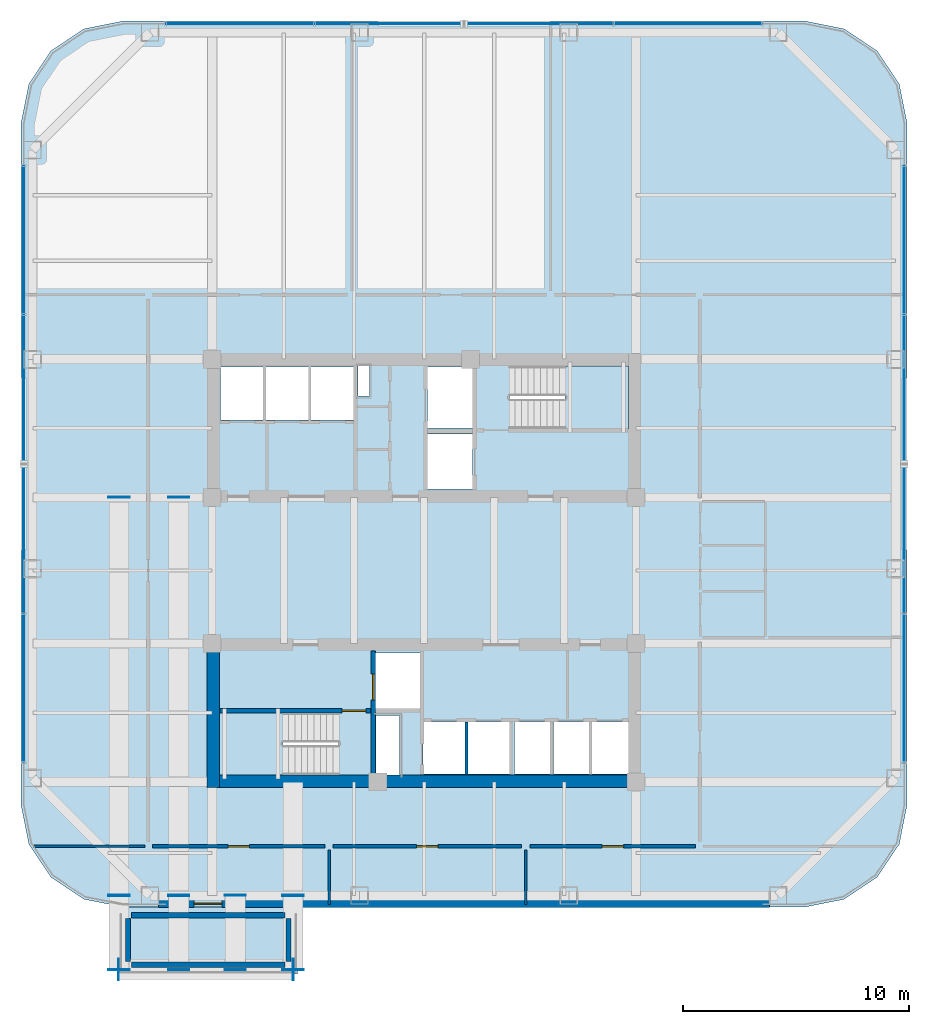
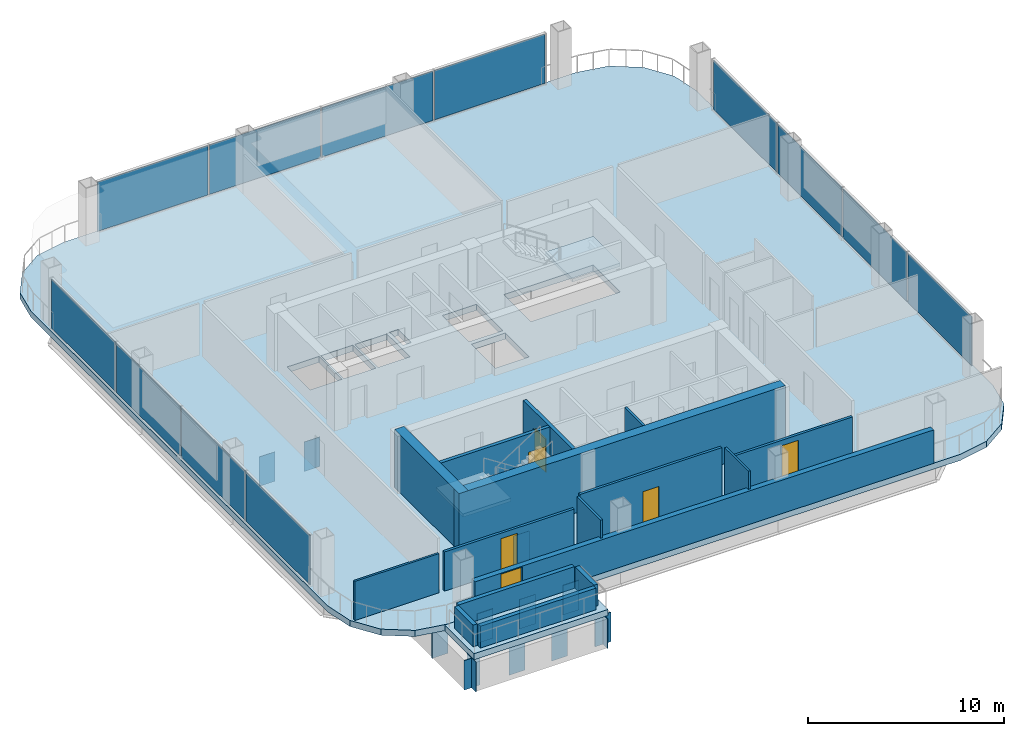
# One storey, part 15 of 20: 28 plates, 16 walls, 6 doors, 4 slabs, 6 openings, 5 elements without a shape of their own.
"""IFC4 building model written with IfcOpenShell, lengths in metres."""

from ifc_helpers import new_model, si_unit, direction, frame, frame_2d, origin, origin_2d, place, context, subcontext, project, spatial, polyline, rectangle, outline, extrude, material, layer, layer_set, type_object, element, fill, aggregate, save


model = new_model("IFC4")

# Units and contexts
model_context = context("Model", 3, precision=1e-05, world=origin(), true_north=direction((0.0, 1.0)))
body_context = subcontext(model_context, "Body", "Model", "MODEL_VIEW")
ifc_project = project(units=[si_unit("LENGTHUNIT", "METRE"), si_unit("AREAUNIT", "SQUARE_METRE"), si_unit("VOLUMEUNIT", "CUBIC_METRE"), si_unit("PLANEANGLEUNIT", "RADIAN"), si_unit("MASSUNIT", "GRAM", prefix="KILO")], contexts=[model_context])

# Site, building, storey
site_placement = place(None, origin())
site = spatial("IfcSite", under=ifc_project, at=site_placement, CompositionType="ELEMENT")
building_placement = place(site_placement, origin())
building = spatial("IfcBuilding", under=site, at=building_placement, Name="Qhalaya Broadcast Tower", CompositionType="ELEMENT")
storey_placement = place(building_placement, frame((0.0, 0.0, 104.85009765625)))
storey = spatial("IfcBuildingStorey", under=building, at=storey_placement, Name="L30", CompositionType="ELEMENT", Elevation=104.85009765625)

# Plates
ifc_material_1 = material(Name="Structural Steel ASTM A572 Grade 50", Category="steel")
ifc_layer_1 = layer(ifc_material_1, 0.4599609375, Name="Structural Steel ASTM A572 Grade 50")
ifc_layer_set_1 = layer_set([ifc_layer_1], Name="Structural Steel ASTM A572 Grade 50")
plate_type_1 = type_object("IfcPlateType", Name="Hollow Box Member End Cap Plate CP-01", PredefinedType="USERDEFINED", material=ifc_layer_set_1)
for number, where, z_axis, x_axis, name in (
    (1, (-13.51611328125, -17.050048828125, -2.2001953125), (0.0, 0.0, 1.0), (0.0, 1.0, 0.0), "L30 Hollow Girder End Cap L30-SPB-EDGE-A"),
    (2, (-5.783935546875, -17.050048828125, -2.2001953125), (0.0, 0.0, 1.0), (0.0, 1.0, 0.0), "L30 Hollow Girder End Cap L30-SPB-EDGE-B"),
    (3, (-13.5, -17.06591796875, -2.2001953125), (0.0, 0.0, 1.0), (-1.0, 0.0, 0.0), "L30 Hollow Girder End Cap L30-SPB-OUT-1-A"),
    (4, (-13.5, -13.77392578125, -2.2001953125), (0.0, 0.0, 1.0), (-1.0, 0.0, 0.0), "L30 Hollow Girder End Cap L30-SPB-OUT-1-B"),
    (5, (-13.5, -13.805908203125, -2.2001953125), (0.0, 0.0, 1.0), (-1.0, 0.0, 0.0), "L30 Hollow Girder End Cap L30-SPB-BK-1-A"),
    (6, (-13.5, 3.841064453125, -2.2001953125), (0.0, 0.0, 1.0), (-1.0, 0.0, 0.0), "L30 Hollow Girder End Cap L30-SPB-BK-1-B"),
    (7, (-10.85009765625, -17.06591796875, -2.2001953125), (0.0, 0.0, 1.0), (-1.0, 0.0, 0.0), "L30 Hollow Girder End Cap L30-SPB-OUT-2-A"),
    (8, (-10.85009765625, -13.77392578125, -2.2001953125), (0.0, 0.0, 1.0), (-1.0, 0.0, 0.0), "L30 Hollow Girder End Cap L30-SPB-OUT-2-B"),
    (9, (-10.85009765625, -13.805908203125, -2.2001953125), (0.0, 0.0, 1.0), (-1.0, 0.0, 0.0), "L30 Hollow Girder End Cap L30-SPB-BK-2-A"),
    (10, (-10.85009765625, 3.841064453125, -2.2001953125), (0.0, 0.0, 1.0), (-1.0, 0.0, 0.0), "L30 Hollow Girder End Cap L30-SPB-BK-2-B"),
    (11, (-8.35009765625, -17.06591796875, -2.2001953125), (0.0, 0.0, 1.0), (-1.0, 0.0, 0.0), "L30 Hollow Girder End Cap L30-SPB-OUT-3-A"),
    (12, (-8.35009765625, -13.77392578125, -2.2001953125), (0.0, 0.0, 1.0), (-1.0, 0.0, 0.0), "L30 Hollow Girder End Cap L30-SPB-OUT-3-B"),
    (13, (-5.800048828125, -17.06591796875, -2.2001953125), (0.0, 0.0, 1.0), (-1.0, 0.0, 0.0), "L30 Hollow Girder End Cap L30-SPB-OUT-4-A"),
    (14, (-5.800048828125, -13.77392578125, -2.2001953125), (0.0, 0.0, 1.0), (-1.0, 0.0, 0.0), "L30 Hollow Girder End Cap L30-SPB-OUT-4-B"),
    (15, (-5.800048828125, -13.805908203125, -2.2001953125), (0.0, 0.0, 1.0), (-1.0, 0.0, 0.0), "L30 Hollow Girder End Cap L30-SPB-BK-4-A"),
    (16, (-5.800048828125, -8.73388671875, -2.2001953125), (0.0, 0.0, 1.0), (-1.0, 0.0, 0.0), "L30 Hollow Girder End Cap L30-SPB-BK-4-B"),
):
    element("IfcPlate", number, at=place(storey_placement, frame(where, z_axis=z_axis, x_axis=x_axis)), inside=storey, type_object=plate_type_1, Name=name, ObjectType="COVER_PLATE", PredefinedType="USERDEFINED", context=body_context, shape_type="SweptSolid", body=[
        extrude(rectangle(XDim=0.93994140625, YDim=0.031982421875, at=origin_2d()), origin(), (0.0, 0.0, 1.0), 1.840087890625),
    ])

# Slab
ifc_material_2 = material(Name="Concrete C40/50", Category="concrete")
ifc_layer_2 = layer(ifc_material_2, 0.25, Name="Concrete C40/50")
ifc_layer_set_2 = layer_set([ifc_layer_2], Name="Concrete C40/50")
slab_type_1 = type_object("IfcSlabType", Name="Planted Sky-Garden & Sky-Pool External Terrace Slab 250", PredefinedType="FLOOR", material=ifc_layer_set_2)
slab_1_placement = place(storey_placement, frame((0.0, 0.0, -0.380126953125)))
element("IfcSlab", 17, at=slab_1_placement, inside=storey, type_object=slab_type_1, Name="L30 Cantilevered Sky Pool Basin & Terrace Slab", PredefinedType="FLOOR", context=body_context, shape_type="SweptSolid", body=[
    extrude(outline(polyline([(-13.5, -17.25), (-5.60009765625, -17.25), (-5.60009765625, -14.2900390625), (-13.5, -14.2900390625), (-13.5, -17.25)])), origin(), (0.0, 0.0, 1.0), 0.380126953125),
])

# Curtain wall, plates
ifc_material_3 = material(Name="Solar-Control Low-E Triple Glazing", Category="glass")
ifc_layer_3 = layer(ifc_material_3, 0.219970703125, Name="Solar-Control Low-E Triple Glazing")
ifc_layer_set_3 = layer_set([ifc_layer_3], Name="Solar-Control Low-E Triple Glazing")
curtain_wall_type = type_object("IfcCurtainWallType", Name="Recessed Sky-Garden Neck Ribbon Curtain Wall CW-05", PredefinedType="NOTDEFINED", material=ifc_layer_set_3)
curtain_wall_1_placement = place(storey_placement, origin())
curtain_wall_1 = element("IfcCurtainWall", 18, at=curtain_wall_1_placement, inside=storey, type_object=curtain_wall_type, Name="L30 Unitised Curtain Wall L30-CW-E", PredefinedType="NOTDEFINED")
ifc_layer_4 = layer(ifc_material_3, 0.031982421875, Name="Solar-Control Low-E Triple Glazing")
ifc_layer_set_4 = layer_set([ifc_layer_4], Name="Solar-Control Low-E Triple Glazing")
plate_type_2 = type_object("IfcPlateType", Name="Solar-Control Curtain Glazing Panel GLP-05", PredefinedType="CURTAIN_PANEL", material=ifc_layer_set_4)
plate_1_placement = place(storey_placement, frame((21.25, -4.608642578125, 0.07470703125), z_axis=(0.0, 0.0, 1.0), x_axis=(0.0, 1.0, 0.0)))
plate_1 = element("IfcPlate", 19, at=plate_1_placement, type_object=plate_type_2, Name="CW-05 panel 1.1", PredefinedType="CURTAIN_PANEL", context=body_context, shape_type="SweptSolid", body=[
    extrude(rectangle(XDim=6.512451171875, YDim=0.031982421875, at=origin_2d()), origin(), (0.0, 0.0, 1.0), 3.070068359375),
])
plate_2_placement = place(storey_placement, frame((21.25, 1.99755859375, 0.07470703125), z_axis=(0.0, 0.0, 1.0), x_axis=(0.0, 1.0, 0.0)))
plate_2 = element("IfcPlate", 20, at=plate_2_placement, type_object=plate_type_2, Name="CW-05 panel 2.1", PredefinedType="CURTAIN_PANEL", context=body_context, shape_type="SweptSolid", body=[
    extrude(rectangle(XDim=6.550048828125, YDim=0.031982421875, at=origin_2d()), origin(), (0.0, 0.0, 1.0), 3.070068359375),
])
plate_3_placement = place(storey_placement, frame((21.25, 8.62255859375, 0.07470703125), z_axis=(0.0, 0.0, 1.0), x_axis=(0.0, 1.0, 0.0)))
plate_3 = element("IfcPlate", 21, at=plate_3_placement, type_object=plate_type_2, Name="CW-05 panel 3.1", PredefinedType="CURTAIN_PANEL", context=body_context, shape_type="SweptSolid", body=[
    extrude(rectangle(XDim=6.550048828125, YDim=0.031982421875, at=origin_2d()), origin(), (0.0, 0.0, 1.0), 3.070068359375),
])
plate_4_placement = place(storey_placement, frame((21.25, 15.228759765625, 0.07470703125), z_axis=(0.0, 0.0, 1.0), x_axis=(0.0, 1.0, 0.0)))
plate_4 = element("IfcPlate", 22, at=plate_4_placement, type_object=plate_type_2, Name="CW-05 panel 4.1", PredefinedType="CURTAIN_PANEL", context=body_context, shape_type="SweptSolid", body=[
    extrude(rectangle(XDim=6.512451171875, YDim=0.031982421875, at=origin_2d()), origin(), (0.0, 0.0, 1.0), 3.070068359375),
])
aggregate(curtain_wall_1, [plate_1, plate_2, plate_3, plate_4])

curtain_wall_2_placement = place(storey_placement, origin())
curtain_wall_2 = element("IfcCurtainWall", 23, at=curtain_wall_2_placement, inside=storey, type_object=curtain_wall_type, Name="L30 Unitised Curtain Wall L30-CW-N", PredefinedType="NOTDEFINED")
plate_5_placement = place(storey_placement, frame((11.688720703125, 24.7900390625, 0.07470703125), z_axis=(0.0, 0.0, 1.0), x_axis=(-1.0, 0.0, 0.0)))
plate_5 = element("IfcPlate", 24, at=plate_5_placement, type_object=plate_type_2, Name="CW-05 panel 1.1", PredefinedType="CURTAIN_PANEL", context=body_context, shape_type="SweptSolid", body=[
    extrude(rectangle(XDim=6.512451171875, YDim=0.031982421875, at=origin_2d()), origin(), (0.0, 0.0, 1.0), 3.070068359375),
])
plate_6_placement = place(storey_placement, frame((5.08251953125, 24.7900390625, 0.07470703125), z_axis=(0.0, 0.0, 1.0), x_axis=(-1.0, 0.0, 0.0)))
plate_6 = element("IfcPlate", 25, at=plate_6_placement, type_object=plate_type_2, Name="CW-05 panel 2.1", PredefinedType="CURTAIN_PANEL", context=body_context, shape_type="SweptSolid", body=[
    extrude(rectangle(XDim=6.550048828125, YDim=0.031982421875, at=origin_2d()), origin(), (0.0, 0.0, 1.0), 3.070068359375),
])
plate_7_placement = place(storey_placement, frame((-1.54248046875, 24.7900390625, 0.07470703125), z_axis=(0.0, 0.0, 1.0), x_axis=(-1.0, 0.0, 0.0)))
plate_7 = element("IfcPlate", 26, at=plate_7_placement, type_object=plate_type_2, Name="CW-05 panel 3.1", PredefinedType="CURTAIN_PANEL", context=body_context, shape_type="SweptSolid", body=[
    extrude(rectangle(XDim=6.550048828125, YDim=0.031982421875, at=origin_2d()), origin(), (0.0, 0.0, 1.0), 3.070068359375),
])
plate_8_placement = place(storey_placement, frame((-8.148681640625, 24.7900390625, 0.07470703125), z_axis=(0.0, 0.0, 1.0), x_axis=(-1.0, 0.0, 0.0)))
plate_8 = element("IfcPlate", 27, at=plate_8_placement, type_object=plate_type_2, Name="CW-05 panel 4.1", PredefinedType="CURTAIN_PANEL", context=body_context, shape_type="SweptSolid", body=[
    extrude(rectangle(XDim=6.512451171875, YDim=0.031982421875, at=origin_2d()), origin(), (0.0, 0.0, 1.0), 3.070068359375),
])
aggregate(curtain_wall_2, [plate_5, plate_6, plate_7, plate_8])

curtain_wall_3_placement = place(storey_placement, origin())
curtain_wall_3 = element("IfcCurtainWall", 28, at=curtain_wall_3_placement, inside=storey, type_object=curtain_wall_type, Name="L30 Unitised Curtain Wall L30-CW-W", PredefinedType="NOTDEFINED")
plate_9_placement = place(storey_placement, frame((-17.7099609375, 15.228759765625, 0.07470703125), z_axis=(0.0, 0.0, 1.0), x_axis=(0.0, -1.0, 0.0)))
plate_9 = element("IfcPlate", 29, at=plate_9_placement, type_object=plate_type_2, Name="CW-05 panel 1.1", PredefinedType="CURTAIN_PANEL", context=body_context, shape_type="SweptSolid", body=[
    extrude(rectangle(XDim=6.512451171875, YDim=0.031982421875, at=origin_2d()), origin(), (0.0, 0.0, 1.0), 3.070068359375),
])
plate_10_placement = place(storey_placement, frame((-17.7099609375, 8.62255859375, 0.07470703125), z_axis=(0.0, 0.0, 1.0), x_axis=(0.0, -1.0, 0.0)))
plate_10 = element("IfcPlate", 30, at=plate_10_placement, type_object=plate_type_2, Name="CW-05 panel 2.1", PredefinedType="CURTAIN_PANEL", context=body_context, shape_type="SweptSolid", body=[
    extrude(rectangle(XDim=6.550048828125, YDim=0.031982421875, at=origin_2d()), origin(), (0.0, 0.0, 1.0), 3.070068359375),
])
plate_11_placement = place(storey_placement, frame((-17.7099609375, 1.99755859375, 0.07470703125), z_axis=(0.0, 0.0, 1.0), x_axis=(0.0, -1.0, 0.0)))
plate_11 = element("IfcPlate", 31, at=plate_11_placement, type_object=plate_type_2, Name="CW-05 panel 3.1", PredefinedType="CURTAIN_PANEL", context=body_context, shape_type="SweptSolid", body=[
    extrude(rectangle(XDim=6.550048828125, YDim=0.031982421875, at=origin_2d()), origin(), (0.0, 0.0, 1.0), 3.070068359375),
])
plate_12_placement = place(storey_placement, frame((-17.7099609375, -4.608642578125, 0.07470703125), z_axis=(0.0, 0.0, 1.0), x_axis=(0.0, -1.0, 0.0)))
plate_12 = element("IfcPlate", 32, at=plate_12_placement, type_object=plate_type_2, Name="CW-05 panel 4.1", PredefinedType="CURTAIN_PANEL", context=body_context, shape_type="SweptSolid", body=[
    extrude(rectangle(XDim=6.512451171875, YDim=0.031982421875, at=origin_2d()), origin(), (0.0, 0.0, 1.0), 3.070068359375),
])
aggregate(curtain_wall_3, [plate_9, plate_10, plate_11, plate_12])

# Stair, slab
stair_type = type_object("IfcStairType", Name="Protected Dogleg Core Stair 3600", PredefinedType="TWO_STRAIGHT_RUN_STAIR", material=ifc_material_2)
stair_1_placement = place(storey_placement, origin())
stair_1 = element("IfcStair", 33, at=stair_1_placement, inside=storey, type_object=stair_type, Name="L30 North Core Exit Stair ST-1", PredefinedType="TWO_STRAIGHT_RUN_STAIR")
ifc_layer_5 = layer(ifc_material_2, 0.199951171875, Name="Concrete C40/50")
ifc_layer_set_5 = layer_set([ifc_layer_5], Name="Concrete C40/50")
slab_type_2 = type_object("IfcSlabType", Name="Stair & Ramp Half-Landing Slab 200", PredefinedType="LANDING", material=ifc_layer_set_5)
slab_2_placement = place(storey_placement, frame((0.0, 0.0, 1.599853515625)))
slab_2 = element("IfcSlab", 34, at=slab_2_placement, type_object=slab_type_2, Name="ST-1 landing 1", PredefinedType="LANDING", context=body_context, shape_type="SweptSolid", body=[
    extrude(outline(polyline([(6.235107421875, 6.8798828125), (9.050048828125, 6.8798828125), (9.050048828125, 9.639892578125), (6.235107421875, 9.639892578125), (6.235107421875, 6.8798828125)])), origin(), (0.0, 0.0, 1.0), 0.199951171875),
])
aggregate(stair_1, [slab_2])

stair_2_placement = place(storey_placement, origin())
stair_2 = element("IfcStair", 35, at=stair_2_placement, inside=storey, type_object=stair_type, Name="L30 South Core Exit Stair ST-2", PredefinedType="TWO_STRAIGHT_RUN_STAIR")
slab_3_placement = place(storey_placement, frame((0.0, 0.0, 1.599853515625)))
slab_3 = element("IfcSlab", 36, at=slab_3_placement, type_object=slab_type_2, Name="ST-2 landing 1", PredefinedType="LANDING", context=body_context, shape_type="SweptSolid", body=[
    extrude(outline(polyline([(-6.235107421875, -5.679931640625), (-9.050048828125, -5.679931640625), (-9.050048828125, -8.43994140625), (-6.235107421875, -8.43994140625), (-6.235107421875, -5.679931640625)])), origin(), (0.0, 0.0, 1.0), 0.199951171875),
])
aggregate(stair_2, [slab_3])

# Slab
ifc_layer_6 = layer(ifc_material_2, 0.3798828125, Name="Concrete C40/50")
ifc_layer_set_6 = layer_set([ifc_layer_6], Name="Concrete C40/50")
slab_type_3 = type_object("IfcSlabType", Name="Transfer & Sky-Pool Structural Deck Slab 380", PredefinedType="FLOOR", material=ifc_layer_set_6)
slab_4_placement = place(storey_placement, frame((0.0, 0.0, -0.380126953125)))
element("IfcSlab", 37, at=slab_4_placement, inside=storey, type_object=slab_type_3, Name="L30 Main Structural Floor Slab", PredefinedType="FLOOR", context=body_context, shape_type="SweptSolid", body=[
    extrude(outline(polyline([(16.8701171875, -14.2900390625), (18.592041015625, -13.947509765625), (20.052001953125, -12.971923828125), (21.027587890625, -11.51220703125), (21.3701171875, -9.7900390625), (21.3701171875, 20.409912109375), (21.027587890625, 22.132080078125), (20.052001953125, 23.592041015625), (18.592041015625, 24.5673828125), (16.8701171875, 24.909912109375), (-13.330078125, 24.909912109375), (-15.052001953125, 24.5673828125), (-16.511962890625, 23.592041015625), (-17.487548828125, 22.132080078125), (-17.830078125, 20.409912109375), (-17.830078125, -9.7900390625), (-17.487548828125, -11.51220703125), (-16.511962890625, -12.971923828125), (-15.052001953125, -13.947509765625), (-13.330078125, -14.2900390625), (16.8701171875, -14.2900390625)]), holes=[polyline([(3.784912109375, 9.639892578125), (9.050048828125, 9.639892578125), (9.050048828125, 6.8798828125), (3.784912109375, 6.8798828125), (3.784912109375, 9.639892578125)]), polyline([(-3.784912109375, -8.43994140625), (-9.050048828125, -8.43994140625), (-9.050048828125, -5.679931640625), (-3.784912109375, -5.679931640625), (-3.784912109375, -8.43994140625)]), polyline([(0.14990234375, 6.64990234375), (2.14990234375, 6.64990234375), (2.14990234375, 4.199951171875), (0.14990234375, 4.199951171875), (0.14990234375, 6.64990234375)]), polyline([(0.14990234375, 9.60009765625), (2.14990234375, 9.60009765625), (2.14990234375, 6.89990234375), (0.14990234375, 6.89990234375), (0.14990234375, 9.60009765625)]), polyline([(-2.14990234375, -3.050048828125), (-0.14990234375, -3.050048828125), (-0.14990234375, -5.5), (-2.14990234375, -5.5), (-2.14990234375, -3.050048828125)]), polyline([(-9.0, 9.60009765625), (-7.1201171875, 9.60009765625), (-7.1201171875, 7.25), (-9.0, 7.25), (-9.0, 9.60009765625)]), polyline([(-7.0, 9.60009765625), (-5.1201171875, 9.60009765625), (-5.1201171875, 7.25), (-7.0, 7.25), (-7.0, 9.60009765625)]), polyline([(-5.0, 9.60009765625), (-3.1201171875, 9.60009765625), (-3.1201171875, 7.25), (-5.0, 7.25), (-5.0, 9.60009765625)]), polyline([(-0.050048828125, -6.10009765625), (1.830078125, -6.10009765625), (1.830078125, -8.39990234375), (-0.050048828125, -8.39990234375), (-0.050048828125, -6.10009765625)]), polyline([(1.949951171875, -6.10009765625), (3.830078125, -6.10009765625), (3.830078125, -8.39990234375), (1.949951171875, -8.39990234375), (1.949951171875, -6.10009765625)]), polyline([(4.0, -6.10009765625), (5.60009765625, -6.10009765625), (5.60009765625, -8.39990234375), (4.0, -8.39990234375), (4.0, -6.10009765625)]), polyline([(5.719970703125, -6.10009765625), (7.320068359375, -6.10009765625), (7.320068359375, -8.39990234375), (5.719970703125, -8.39990234375), (5.719970703125, -6.10009765625)]), polyline([(7.43994140625, -6.10009765625), (9.0400390625, -6.10009765625), (9.0400390625, -8.39990234375), (7.43994140625, -8.39990234375), (7.43994140625, -6.10009765625)]), polyline([(-2.919921875, 9.659912109375), (-2.419921875, 9.659912109375), (-2.419921875, 8.320068359375), (-2.919921875, 8.320068359375), (-2.919921875, 9.659912109375)]), polyline([(-2.1201171875, -5.820068359375), (-1.080078125, -5.820068359375), (-1.080078125, -8.4599609375), (-2.1201171875, -8.4599609375), (-2.1201171875, -5.820068359375)])]), origin(), (0.0, 0.0, 1.0), 0.380126953125),
])

# Wall, opening, door
ifc_material_4 = material(Name="Gypsum Acoustic Partition")
ifc_layer_7 = layer(ifc_material_4, 0.14990234375, Name="Gypsum Acoustic Partition")
ifc_layer_set_7 = layer_set([ifc_layer_7], Name="Gypsum Acoustic Partition")
wall_type_1 = type_object("IfcWallType", Name="Corridor & Tenancy Acoustic Partition 150", PredefinedType="PARTITIONING", material=ifc_layer_set_7)
wall_1_placement = place(storey_placement, frame((-12.02001953125, -11.60009765625, 0.0), z_axis=(0.0, 0.0, 1.0), x_axis=(1.0, 0.0, 0.0)))
wall_1 = element("IfcWall", 38, at=wall_1_placement, inside=storey, type_object=wall_type_1, Name="L30 Partition Wall W-COR-04", PredefinedType="PARTITIONING", context=body_context, shape_type="SweptSolid", body=[
    extrude(rectangle(XDim=7.64013671875, YDim=0.14990234375, at=frame_2d((3.820068359375, 0.0))), origin(), (0.0, 0.0, 1.0), 2.43798828125),
])
opening_1_placement = place(wall_1_placement, frame((3.344970703125, 0.0, 0.0)))
opening_1 = element("IfcOpeningElement", 39, at=opening_1_placement, cuts=wall_1, Name="Opening D10", PredefinedType="OPENING", context=body_context, shape_type="SweptSolid", body=[
    extrude(rectangle(XDim=0.949951171875, YDim=2.10009765625, at=frame_2d((0.47509765625, 1.050048828125))), frame((0.0, 0.0869140625, 0.0), z_axis=(0.0, -1.0, 0.0), x_axis=(1.0, 0.0, 0.0)), (0.0, 0.0, 1.0), 0.173828125),
])
ifc_material_5 = material(Name="Timber Veneer Acoustic Door", Category="wood")
door_type_1 = type_object("IfcDoorType", Name="Cellular Office & Edit Booth Door D10", OperationType="NOTDEFINED", PredefinedType="DOOR", material=ifc_material_5)
door_1_placement = place(opening_1_placement, origin())
door_1 = element("IfcDoor", 40, at=door_1_placement, inside=storey, type_object=door_type_1, Name="L30 Door D-RM04", OperationType="SINGLE_SWING_LEFT", OverallHeight=2.10009765625, OverallWidth=0.949951171875, PredefinedType="DOOR", context=body_context, shape_type="SweptSolid", body=[
    extrude(rectangle(XDim=0.949951171875, YDim=2.10009765625, at=frame_2d((0.47509765625, 1.050048828125))), frame((0.0, 0.02490234375, 0.0), z_axis=(0.0, -1.0, 0.0), x_axis=(1.0, 0.0, 0.0)), (0.0, 0.0, 1.0), 0.050048828125),
])
fill(opening_1, door_1)

wall_2_placement = place(storey_placement, frame((-4.02001953125, -11.60009765625, 0.0), z_axis=(0.0, 0.0, 1.0), x_axis=(1.0, 0.0, 0.0)))
wall_2 = element("IfcWall", 41, at=wall_2_placement, inside=storey, type_object=wall_type_1, Name="L30 Partition Wall W-COR-05", PredefinedType="PARTITIONING", context=body_context, shape_type="SweptSolid", body=[
    extrude(rectangle(XDim=8.340087890625, YDim=0.14990234375, at=frame_2d((4.169921875, 0.0))), origin(), (0.0, 0.0, 1.0), 3.219970703125),
])
opening_2_placement = place(wall_2_placement, frame((3.695068359375, 0.0, 0.0)))
opening_2 = element("IfcOpeningElement", 42, at=opening_2_placement, cuts=wall_2, Name="Opening D10", PredefinedType="OPENING", context=body_context, shape_type="SweptSolid", body=[
    extrude(rectangle(XDim=0.949951171875, YDim=2.10009765625, at=frame_2d((0.47509765625, 1.050048828125))), frame((0.0, 0.0869140625, 0.0), z_axis=(0.0, -1.0, 0.0), x_axis=(1.0, 0.0, 0.0)), (0.0, 0.0, 1.0), 0.173828125),
])
door_2_placement = place(opening_2_placement, origin())
door_2 = element("IfcDoor", 43, at=door_2_placement, inside=storey, type_object=door_type_1, Name="L30 Door D-RM05", OperationType="SINGLE_SWING_RIGHT", OverallHeight=2.10009765625, OverallWidth=0.949951171875, PredefinedType="DOOR", context=body_context, shape_type="SweptSolid", body=[
    extrude(rectangle(XDim=0.949951171875, YDim=2.10009765625, at=frame_2d((0.47509765625, 1.050048828125))), frame((0.0, 0.02490234375, 0.0), z_axis=(0.0, -1.0, 0.0), x_axis=(1.0, 0.0, 0.0)), (0.0, 0.0, 1.0), 0.050048828125),
])
fill(opening_2, door_2)

wall_3_placement = place(storey_placement, frame((4.679931640625, -11.60009765625, 0.0), z_axis=(0.0, 0.0, 1.0), x_axis=(1.0, 0.0, 0.0)))
wall_3 = element("IfcWall", 44, at=wall_3_placement, inside=storey, type_object=wall_type_1, Name="L30 Partition Wall W-COR-06", PredefinedType="PARTITIONING", context=body_context, shape_type="SweptSolid", body=[
    extrude(rectangle(XDim=7.340087890625, YDim=0.14990234375, at=frame_2d((3.669921875, 0.0))), origin(), (0.0, 0.0, 1.0), 2.43798828125),
])
opening_3_placement = place(wall_3_placement, frame((3.195068359375, 0.0, 0.0)))
opening_3 = element("IfcOpeningElement", 45, at=opening_3_placement, cuts=wall_3, Name="Opening D10", PredefinedType="OPENING", context=body_context, shape_type="SweptSolid", body=[
    extrude(rectangle(XDim=0.949951171875, YDim=2.10009765625, at=frame_2d((0.47509765625, 1.050048828125))), frame((0.0, 0.0869140625, 0.0), z_axis=(0.0, -1.0, 0.0), x_axis=(1.0, 0.0, 0.0)), (0.0, 0.0, 1.0), 0.173828125),
])
door_3_placement = place(opening_3_placement, origin())
door_3 = element("IfcDoor", 46, at=door_3_placement, inside=storey, type_object=door_type_1, Name="L30 Door D-RM06", OperationType="SINGLE_SWING_LEFT", OverallHeight=2.10009765625, OverallWidth=0.949951171875, PredefinedType="DOOR", context=body_context, shape_type="SweptSolid", body=[
    extrude(rectangle(XDim=0.949951171875, YDim=2.10009765625, at=frame_2d((0.47509765625, 1.050048828125))), frame((0.0, 0.02490234375, 0.0), z_axis=(0.0, -1.0, 0.0), x_axis=(1.0, 0.0, 0.0)), (0.0, 0.0, 1.0), 0.050048828125),
])
fill(opening_3, door_3)

ifc_material_6 = material(Name="Concrete C50/60", Category="concrete")
ifc_layer_8 = layer(ifc_material_6, 0.199951171875, Name="Concrete C50/60")
ifc_layer_set_8 = layer_set([ifc_layer_8], Name="Concrete C50/60")
wall_type_2 = type_object("IfcWallType", Name="Load-Bearing Stair Shaft Wall 200", PredefinedType="SHEAR", material=ifc_layer_set_8)
wall_4_placement = place(storey_placement, frame((-9.030029296875, -5.60498046875, 0.0), z_axis=(0.0, 0.0, 1.0), x_axis=(1.0, 0.0, 0.0)))
wall_4 = element("IfcWall", 47, at=wall_4_placement, inside=storey, type_object=wall_type_2, Name="L30 Stair Core Shear Wall SCW-ST2", PredefinedType="SHEAR", context=body_context, shape_type="SweptSolid", body=[
    extrude(rectangle(XDim=6.669921875, YDim=0.199951171875, at=frame_2d((3.3349609375, 0.0))), origin(), (0.0, 0.0, 1.0), 3.219970703125),
])
opening_4_placement = place(wall_4_placement, frame((5.39990234375, 0.0, 0.0)))
opening_4 = element("IfcOpeningElement", 48, at=opening_4_placement, cuts=wall_4, Name="Opening D03", PredefinedType="OPENING", context=body_context, shape_type="SweptSolid", body=[
    extrude(rectangle(XDim=1.050048828125, YDim=2.080078125, at=frame_2d((0.52490234375, 1.0400390625))), frame((0.0, 0.112060546875, 0.0), z_axis=(0.0, -1.0, 0.0), x_axis=(1.0, 0.0, 0.0)), (0.0, 0.0, 1.0), 0.223876953125),
])
ifc_material_7 = material(Name="Fire-Rated Steel Door", Category="steel")
door_type_2 = type_object("IfcDoorType", Name="Core Stair Protected Fire Door D03", OperationType="NOTDEFINED", PredefinedType="DOOR", material=ifc_material_7)
door_4_placement = place(opening_4_placement, origin())
door_4 = element("IfcDoor", 49, at=door_4_placement, inside=storey, type_object=door_type_2, Name="L30 Door D-SST2", OperationType="SINGLE_SWING_RIGHT", OverallHeight=2.080078125, OverallWidth=1.050048828125, PredefinedType="DOOR", context=body_context, shape_type="SweptSolid", body=[
    extrude(rectangle(XDim=1.050048828125, YDim=2.080078125, at=frame_2d((0.52490234375, 1.0400390625))), frame((0.0, 0.02490234375, 0.0), z_axis=(0.0, -1.0, 0.0), x_axis=(1.0, 0.0, 0.0)), (0.0, 0.0, 1.0), 0.050048828125),
])
fill(opening_4, door_4)

wall_5_placement = place(storey_placement, frame((-2.25, -8.429931640625, 0.0), z_axis=(0.0, 0.0, 1.0), x_axis=(0.0, 1.0, 0.0)))
wall_5 = element("IfcWall", 50, at=wall_5_placement, inside=storey, type_object=wall_type_2, Name="L30 Stair Core Shear Wall SCW-FF", PredefinedType="SHEAR", context=body_context, shape_type="SweptSolid", body=[
    extrude(rectangle(XDim=5.4599609375, YDim=0.199951171875, at=frame_2d((2.72998046875, 0.0))), origin(), (0.0, 0.0, 1.0), 3.219970703125),
])
opening_5_placement = place(wall_5_placement, frame((3.300048828125, 0.0, 0.0)))
opening_5 = element("IfcOpeningElement", 51, at=opening_5_placement, cuts=wall_5, Name="Opening LD2", PredefinedType="OPENING", context=body_context, shape_type="SweptSolid", body=[
    extrude(rectangle(XDim=1.14990234375, YDim=2.080078125, at=frame_2d((0.574951171875, 1.0400390625))), frame((0.0, 0.112060546875, 0.0), z_axis=(0.0, -1.0, 0.0), x_axis=(1.0, 0.0, 0.0)), (0.0, 0.0, 1.0), 0.223876953125),
])
ifc_material_8 = material(Name="Brushed Stainless Steel Lift Door", Category="steel")
door_type_3 = type_object("IfcDoorType", Name="Firefighting Lift Sliding Landing Door LD2", OperationType="DOUBLE_DOOR_SLIDING", PredefinedType="DOOR", material=ifc_material_8)
door_5_placement = place(opening_5_placement, origin())
door_5 = element("IfcDoor", 52, at=door_5_placement, inside=storey, type_object=door_type_3, Name="L30 Door LD-FF2", OperationType="DOUBLE_DOOR_SLIDING", OverallHeight=2.080078125, OverallWidth=1.14990234375, PredefinedType="DOOR", context=body_context, shape_type="SweptSolid", body=[
    extrude(rectangle(XDim=1.14990234375, YDim=2.080078125, at=frame_2d((0.574951171875, 1.0400390625))), frame((0.0, 0.02490234375, 0.0), z_axis=(0.0, -1.0, 0.0), x_axis=(1.0, 0.0, 0.0)), (0.0, 0.0, 1.0), 0.050048828125),
])
fill(opening_5, door_5)

# Walls
ifc_material_9 = material(Name="Concrete C60/75", Category="concrete")
ifc_layer_9 = layer(ifc_material_9, 0.550048828125, Name="Concrete C60/75")
ifc_layer_set_9 = layer_set([ifc_layer_9], Name="Concrete C60/75")
wall_type_3 = type_object("IfcWallType", Name="Lower Split-Core Shear Wall 550", PredefinedType="SHEAR", material=ifc_layer_set_9)
wall_6_placement = place(storey_placement, frame((-9.60009765625, -8.72509765625, 0.0), z_axis=(0.0, 0.0, 1.0), x_axis=(1.0, 0.0, 0.0)))
element("IfcWall", 53, at=wall_6_placement, inside=storey, type_object=wall_type_3, Name="L30 Split-Core Shear Wall CW-SS", PredefinedType="SHEAR", context=body_context, shape_type="SweptSolid", body=[
    extrude(rectangle(XDim=19.2001953125, YDim=0.550048828125, at=frame_2d((9.60009765625, 0.0))), origin(), (0.0, 0.0, 1.0), 3.599853515625),
])
wall_7_placement = place(storey_placement, frame((-9.324951171875, -9.0, 0.0), z_axis=(0.0, 0.0, 1.0), x_axis=(0.0, 1.0, 0.0)))
element("IfcWall", 54, at=wall_7_placement, inside=storey, type_object=wall_type_3, Name="L30 Split-Core Shear Wall CW-SW", PredefinedType="SHEAR", context=body_context, shape_type="SweptSolid", body=[
    extrude(rectangle(XDim=6.60009765625, YDim=0.550048828125, at=frame_2d((3.300048828125, 0.0))), origin(), (0.0, 0.0, 1.0), 3.599853515625),
])
ifc_layer_10 = layer(ifc_material_4, 0.1201171875, Name="Gypsum Acoustic Partition")
ifc_layer_set_10 = layer_set([ifc_layer_10], Name="Gypsum Acoustic Partition")
wall_type_4 = type_object("IfcWallType", Name="Office, Booth & Sanitary Partition 120", PredefinedType="PARTITIONING", material=ifc_layer_set_10)
wall_8_placement = place(storey_placement, frame((1.8798828125, -8.429931640625, 0.0), z_axis=(0.0, 0.0, 1.0), x_axis=(0.0, 1.0, 0.0)))
element("IfcWall", 55, at=wall_8_placement, inside=storey, type_object=wall_type_4, Name="L30 Partition Wall SCW-MD4", PredefinedType="PARTITIONING", context=body_context, shape_type="SweptSolid", body=[
    extrude(rectangle(XDim=2.329833984375, YDim=0.1201171875, at=frame_2d((1.1650390625, 0.0))), origin(), (0.0, 0.0, 1.0), 3.219970703125),
])
wall_9_placement = place(storey_placement, frame((-17.284423828125, -11.60009765625, 0.0), z_axis=(0.0, 0.0, 1.0), x_axis=(1.0, 0.0, 0.0)))
element("IfcWall", 56, at=wall_9_placement, inside=storey, type_object=wall_type_4, Name="L30 Partition Wall W-BNDW2", PredefinedType="PARTITIONING", context=body_context, shape_type="SweptSolid", body=[
    extrude(rectangle(XDim=4.9443359375, YDim=0.1201171875, at=frame_2d((2.47216796875, 0.0))), origin(), (0.0, 0.0, 1.0), 2.43798828125),
])
for number, where, z_axis, x_axis, name in (
    (57, (-4.199951171875, -14.169921875, 0.0), (0.0, 0.0, 1.0), (0.0, 1.0, 0.0), "L30 Partition Wall W-DIVS1"),
    (58, (4.5, -14.169921875, 0.0), (0.0, 0.0, 1.0), (0.0, 1.0, 0.0), "L30 Partition Wall W-DIVS2"),
):
    element("IfcWall", number, at=place(storey_placement, frame(where, z_axis=z_axis, x_axis=x_axis)), inside=storey, type_object=wall_type_4, Name=name, PredefinedType="PARTITIONING", context=body_context, shape_type="SweptSolid", body=[
        extrude(rectangle(XDim=2.409912109375, YDim=0.1201171875, at=frame_2d((1.205078125, 0.0))), origin(), (0.0, 0.0, 1.0), 3.219970703125),
    ])
ifc_material_10 = material(Name="Precast Concrete C40/50", Category="concrete")
ifc_layer_11 = layer(ifc_material_10, 0.239990234375, Name="Precast Concrete C40/50")
ifc_layer_set_11 = layer_set([ifc_layer_11], Name="Precast Concrete C40/50")
wall_type_5 = type_object("IfcWallType", Name="Planted Terrace & Roof Parapet Upstand 240", PredefinedType="PARAPET", material=ifc_layer_set_11)
for number, where, z_axis, x_axis, name in (
    (59, (-12.949951171875, -16.85009765625, 0.0), (0.0, 0.0, 1.0), (1.0, 0.0, 0.0), "L30 Sky Pool Basin Containment Wall S"),
    (60, (-12.949951171875, -14.64990234375, 0.0), (0.0, 0.0, 1.0), (1.0, 0.0, 0.0), "L30 Sky Pool Basin Containment Wall N"),
):
    element("IfcWall", number, at=place(storey_placement, frame(where, z_axis=z_axis, x_axis=x_axis)), inside=storey, type_object=wall_type_5, Name=name, PredefinedType="PARAPET", context=body_context, shape_type="SweptSolid", body=[
        extrude(rectangle(XDim=6.800048828125, YDim=0.239990234375, at=frame_2d((3.39990234375, 0.0))), origin(), (0.0, 0.0, 1.0), 1.349853515625),
    ])
for number, where, z_axis, x_axis, name in (
    (61, (-13.10009765625, -16.699951171875, 0.0), (0.0, 0.0, 1.0), (0.0, 1.0, 0.0), "L30 Sky Pool Basin Containment Wall W"),
    (62, (-6.0, -16.699951171875, 0.0), (0.0, 0.0, 1.0), (0.0, 1.0, 0.0), "L30 Sky Pool Basin Containment Wall E"),
):
    element("IfcWall", number, at=place(storey_placement, frame(where, z_axis=z_axis, x_axis=x_axis)), inside=storey, type_object=wall_type_5, Name=name, PredefinedType="PARAPET", context=body_context, shape_type="SweptSolid", body=[
        extrude(rectangle(XDim=1.89990234375, YDim=0.239990234375, at=frame_2d((0.949951171875, 0.0))), origin(), (0.0, 0.0, 1.0), 1.349853515625),
    ])

# Wall, opening, door
ifc_layer_12 = layer(ifc_material_10, 0.320068359375, Name="Precast Concrete C40/50")
ifc_layer_set_12 = layer_set([ifc_layer_12], Name="Precast Concrete C40/50")
wall_type_6 = type_object("IfcWallType", Name="Recessed Neck Insulated Exterior Wall 320", PredefinedType="SOLIDWALL", material=ifc_layer_set_12)
wall_10_placement = place(storey_placement, frame((15.281982421875, -14.14990234375, 0.0), z_axis=(0.0, 0.0, 1.0), x_axis=(-1.0, 0.0, 0.0)))
wall_10 = element("IfcWall", 63, at=wall_10_placement, inside=storey, type_object=wall_type_6, Name="L30 Exterior Facade Wall S", PredefinedType="SOLIDWALL", context=body_context, shape_type="SweptSolid", body=[
    extrude(rectangle(XDim=27.02392578125, YDim=0.320068359375, at=frame_2d((13.511962890625, 0.0))), origin(), (0.0, 0.0, 1.0), 2.081787109375),
])
opening_6_placement = place(wall_10_placement, frame((24.222900390625, 0.0, 0.0)))
opening_6 = element("IfcOpeningElement", 64, at=opening_6_placement, cuts=wall_10, Name="Opening D13", PredefinedType="OPENING", context=body_context, shape_type="SweptSolid", body=[
    extrude(rectangle(XDim=1.25, YDim=2.02001953125, at=frame_2d((0.625, 1.010009765625))), frame((0.0, 0.172119140625, 0.0), z_axis=(0.0, -1.0, 0.0), x_axis=(1.0, 0.0, 0.0)), (0.0, 0.0, 1.0), 0.343994140625),
])
ifc_material_11 = material(Name="Anodised Aluminium Glazed Door", Category="aluminium")
door_type_4 = type_object("IfcDoorType", Name="Sky-Garden, Sky-Pool & Lookout Terrace Door D13", OperationType="NOTDEFINED", PredefinedType="DOOR", material=ifc_material_11)
door_6_placement = place(opening_6_placement, origin())
door_6 = element("IfcDoor", 65, at=door_6_placement, inside=storey, type_object=door_type_4, Name="L30 Outdoor Sky Pool Terrace Door", OperationType="SINGLE_SWING_RIGHT", OverallHeight=2.02001953125, OverallWidth=1.25, PredefinedType="DOOR", context=body_context, shape_type="SweptSolid", body=[
    extrude(rectangle(XDim=1.25, YDim=2.02001953125, at=frame_2d((0.625, 1.010009765625))), frame((0.0, 0.02490234375, 0.0), z_axis=(0.0, -1.0, 0.0), x_axis=(1.0, 0.0, 0.0)), (0.0, 0.0, 1.0), 0.050048828125),
])
fill(opening_6, door_6)

save(model, "model.ifc")
